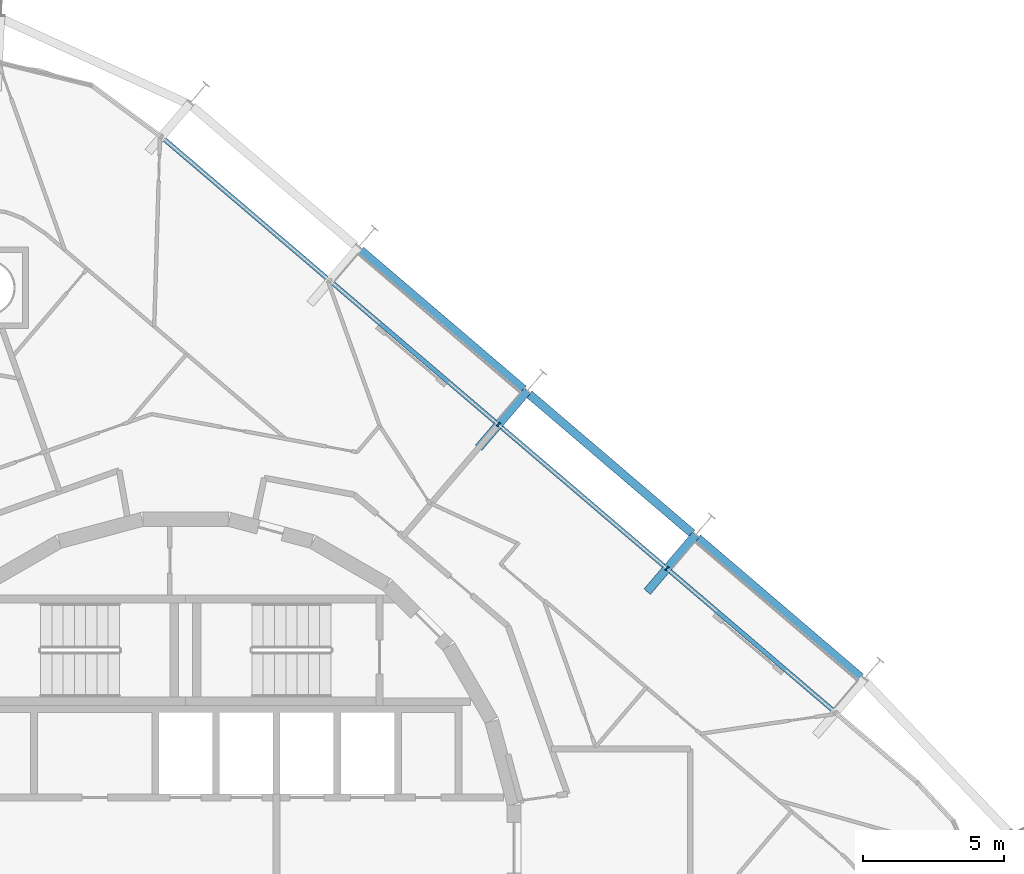
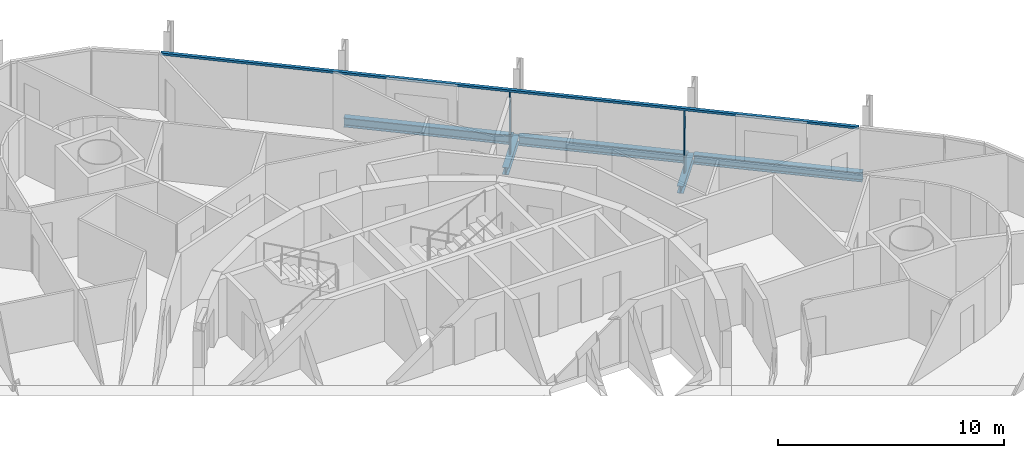
# One storey, part 8 of 17: 5 beams, 3 members, 1 element without a shape of its own.
"""IFC4 building model written with IfcOpenShell, lengths in metres."""

from ifc_helpers import new_model, si_unit, direction, frame, origin, origin_2d, place, context, subcontext, project, spatial, rectangle, i_section, extrude, material, layer, layer_set, material_profile, profile_set, type_object, element, aggregate, save


model = new_model("IFC4")

# Units and contexts
model_context = context("Model", 3, precision=1e-05, world=origin(), true_north=direction((0.0, 1.0)))
body_context = subcontext(model_context, "Body", "Model", "MODEL_VIEW")
ifc_project = project(units=[si_unit("LENGTHUNIT", "METRE"), si_unit("AREAUNIT", "SQUARE_METRE"), si_unit("VOLUMEUNIT", "CUBIC_METRE"), si_unit("PLANEANGLEUNIT", "RADIAN"), si_unit("MASSUNIT", "GRAM", prefix="KILO")], contexts=[model_context])

# Site, building, storey
site_placement = place(None, origin())
site = spatial("IfcSite", under=ifc_project, at=site_placement, CompositionType="ELEMENT")
building_placement = place(site_placement, origin())
building = spatial("IfcBuilding", under=site, at=building_placement, Name="Spindle Arch Residences", CompositionType="ELEMENT")
storey_placement = place(building_placement, frame((0.0, 0.0, 169.199951171875)))
storey = spatial("IfcBuildingStorey", under=building, at=storey_placement, Name="L42", CompositionType="ELEMENT", Elevation=169.199951171875)

# Curtain wall, members
ifc_material_1 = material(Name="Aluminium bronze unitised frame with tinted glass", Category="aluminium")
ifc_layer = layer(ifc_material_1, 0.159912109375)
ifc_layer_set = layer_set([ifc_layer], Name="CW-C typical residential unitised wall")
curtain_wall_type = type_object("IfcCurtainWallType", Name="CW-C typical residential unitised wall", PredefinedType="NOTDEFINED", material=ifc_layer_set)
curtain_wall_placement = place(storey_placement, origin())
curtain_wall = element("IfcCurtainWall", 1, at=curtain_wall_placement, inside=storey, type_object=curtain_wall_type, Name="CW-C L42 run 2", PredefinedType="NOTDEFINED")
ifc_material_2 = material(Name="Aluminium bronze anodised mullion", Category="aluminium")
ifc_material_profile_1 = material_profile(ifc_material_2, rectangle(XDim=0.159912109375, YDim=0.06005859375, at=origin_2d()), Name="MU 60x160")
ifc_profile_set_1 = profile_set([ifc_material_profile_1], Name="Aluminium bronze anodised mullion")
member_type_1 = type_object("IfcMemberType", Name="Bronze mullion 60x160", PredefinedType="MULLION", material=ifc_profile_set_1)
member_1_placement = place(storey_placement, frame((17.06884765625, 9.8994140625, -0.3798828125), z_axis=(0.0, 0.0, 1.0), x_axis=(-0.64944804833, -0.7604059656, 0.0)))
member_1 = element("IfcMember", 2, at=member_1_placement, type_object=member_type_1, Name="CW-C mullion 06", PredefinedType="MULLION", context=body_context, shape_type="SweptSolid", body=[
    extrude(rectangle(XDim=0.159912109375, YDim=0.06005859375, at=origin_2d()), origin(), (0.0, 0.0, 1.0), 3.3798828125),
])
member_2_placement = place(storey_placement, frame((11.092041015625, 15.004150390625, -0.3798828125), z_axis=(0.0, 0.0, 1.0), x_axis=(-0.64944804833, -0.7604059656, 0.0)))
member_2 = element("IfcMember", 3, at=member_2_placement, type_object=member_type_1, Name="CW-C mullion 07", PredefinedType="MULLION", context=body_context, shape_type="SweptSolid", body=[
    extrude(rectangle(XDim=0.159912109375, YDim=0.06005859375, at=origin_2d()), origin(), (0.0, 0.0, 1.0), 3.3798828125),
])
ifc_material_3 = material(Name="Aluminium bronze anodised transom", Category="aluminium")
ifc_material_profile_2 = material_profile(ifc_material_3, rectangle(XDim=0.159912109375, YDim=0.1201171875, at=origin_2d()), Name="TR 120x160")
ifc_profile_set_2 = profile_set([ifc_material_profile_2], Name="Aluminium bronze anodised transom")
member_type_2 = type_object("IfcMemberType", Name="Bronze transom 120x160", PredefinedType="USERDEFINED", material=ifc_profile_set_2)
member_3_placement = place(storey_placement, frame((23.02294921875, 4.814208984375, 3.06005859375), z_axis=(-0.760406495952, 0.649447427368, 0.0), x_axis=(-0.649447427368, -0.760406495952, 0.0)))
member_3 = element("IfcMember", 4, at=member_3_placement, type_object=member_type_2, Name="CW-C transom 00", ObjectType="TRANSOM", PredefinedType="USERDEFINED", context=body_context, shape_type="SweptSolid", body=[
    extrude(rectangle(XDim=0.159912109375, YDim=0.1201171875, at=origin_2d()), origin(), (0.0, 0.0, 1.0), 31.38037109375),
])
aggregate(curtain_wall, [member_3, member_1, member_2])

# Beams
ifc_material_4 = material(Name="Steel S460ML, intumescent coating R 120", Category="steel")
ifc_material_profile_3 = material_profile(ifc_material_4, i_section(OverallWidth=0.300048828125, OverallDepth=0.5, WebThickness=0.014404296875, FlangeThickness=0.028076171875, FilletRadius=0.027099609375, at=origin_2d()), Name="HEB 500")
ifc_profile_set_3 = profile_set([ifc_material_profile_3], Name="Steel S460ML, intumescent coating R 120")
beam_type_1 = type_object("IfcBeamType", Name="Exoskeleton edge beam HEB 500", PredefinedType="BEAM", material=ifc_profile_set_3)
for number, where, z_axis, x_axis, name in (
    (5, (23.9404296875, 6.04248046875, -0.6298828125), (-0.760389211598, 0.649467664234, 0.0), (-0.649467664234, -0.760389211598, 0.0), "Exoskeleton edge beam 6"),
    (6, (17.963623046875, 11.147216796875, -0.6298828125), (-0.760389211598, 0.649467664234, 0.0), (-0.649467664234, -0.760389211598, 0.0), "Exoskeleton edge beam 7"),
):
    element("IfcBeam", number, at=place(storey_placement, frame(where, z_axis=z_axis, x_axis=x_axis)), inside=storey, type_object=beam_type_1, Name=name, PredefinedType="BEAM", context=body_context, shape_type="SweptSolid", body=[
        extrude(i_section(OverallWidth=0.300048828125, OverallDepth=0.5, WebThickness=0.014404296875, FlangeThickness=0.028076171875, FilletRadius=0.027099609375, at=origin_2d()), origin(), (0.0, 0.0, 1.0), 7.60009765625),
    ])
beam_placement = place(storey_placement, frame((11.98681640625, 16.251953125, -0.6298828125), z_axis=(-0.760402760949, 0.649451800476, 0.0), x_axis=(-0.649451800476, -0.760402760949, 0.0)))
element("IfcBeam", 7, at=beam_placement, inside=storey, type_object=beam_type_1, Name="Exoskeleton edge beam 8", PredefinedType="BEAM", context=body_context, shape_type="SweptSolid", body=[
    extrude(i_section(OverallWidth=0.300048828125, OverallDepth=0.5, WebThickness=0.014404296875, FlangeThickness=0.028076171875, FilletRadius=0.027099609375, at=origin_2d()), origin(), (0.0, 0.0, 1.0), 7.600341796875),
])
ifc_material_5 = material(Name="Steel S460ML, intumescent coating R 120", Category="steel")
ifc_material_profile_4 = material_profile(ifc_material_5, i_section(OverallWidth=0.300048828125, OverallDepth=0.389892578125, WebThickness=0.010986328125, FlangeThickness=0.01904296875, FilletRadius=0.027099609375, at=origin_2d()), Name="HEA 400")
ifc_profile_set_4 = profile_set([ifc_material_profile_4], Name="Steel S460ML, intumescent coating R 120")
beam_type_2 = type_object("IfcBeamType", Name="Floor outrigger HEA 400", PredefinedType="BEAM", material=ifc_profile_set_4)
for number, where, z_axis, x_axis, name in (
    (8, (18.08837890625, 11.09326171875, -0.574951171875), (-0.64941704551, -0.760432443417, 0.0), (0.760432443417, -0.64941704551, 0.0), "Floor outrigger 7"),
    (9, (12.111572265625, 16.197998046875, -0.574951171875), (-0.64941704551, -0.760432443417, 0.0), (0.760432443417, -0.64941704551, 0.0), "Floor outrigger 8"),
):
    element("IfcBeam", number, at=place(storey_placement, frame(where, z_axis=z_axis, x_axis=x_axis)), inside=storey, type_object=beam_type_2, Name=name, PredefinedType="BEAM", context=body_context, shape_type="SweptSolid", body=[
        extrude(i_section(OverallWidth=0.300048828125, OverallDepth=0.389892578125, WebThickness=0.010986328125, FlangeThickness=0.01904296875, FilletRadius=0.027099609375, at=origin_2d()), origin(), (0.0, 0.0, 1.0), 2.64990234375),
    ])

save(model, "model.ifc")
